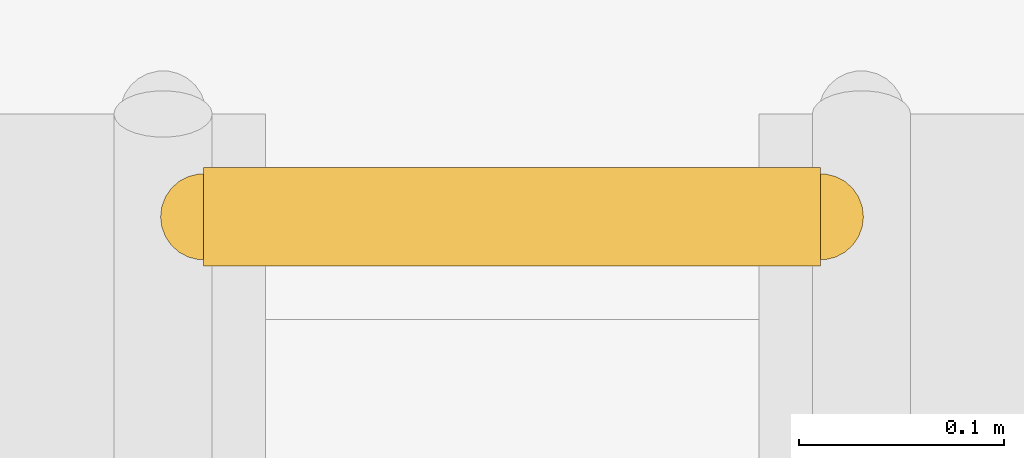
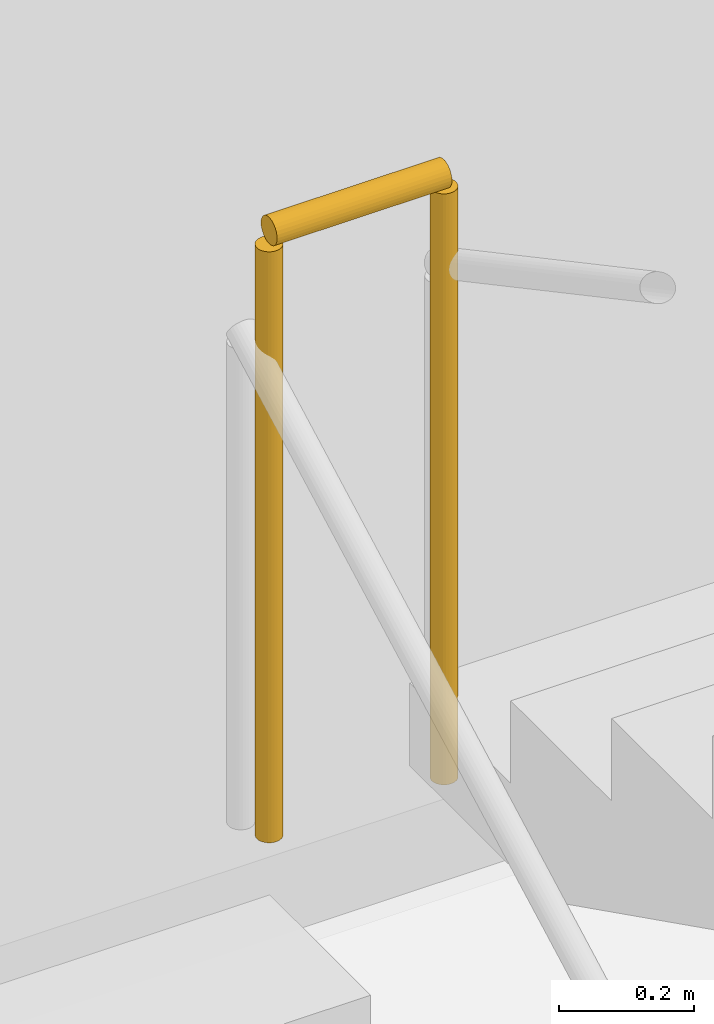
# One storey, part 48 of 51: 1 railing.
"""IFC4 building model written with IfcOpenShell, lengths in metres."""

import ifcopenshell
import ifcopenshell.guid

model = None  # the IFC model being written
_history = None  # IfcOwnerHistory: only IFC2X3 demands one
_inside = {}  # id of a spatial element -> (the spatial element, [elements in it])
_under = {}  # id of a project, library or spatial element -> (it, [spatial elements below it])
_declared = {}  # id of a project -> (the project, [libraries it declares])
_typed = {}  # id of a type object -> (the type object, [elements of that type])
_made_of = {}  # id of a material, layer set ... -> (it, [elements and type objects made of it])


def new_model(schema):
    """Start an empty IFC model of exactly this schema.

    Asked for "IFC4X3", IfcOpenShell would pick the latest addendum, in which some entities
    have other attributes; the version numbers below select the first issue.
    IFC2X3 requires an IfcOwnerHistory on every rooted entity: one is made here for all.
    """
    global model, _history
    if schema == "IFC4X3":
        model = ifcopenshell.file(schema_version=(4, 3, 0, 0))
    else:
        model = ifcopenshell.file(schema=schema)
    _inside.clear()
    _under.clear()
    _declared.clear()
    _typed.clear()
    _made_of.clear()
    _history = None
    if model.schema == "IFC2X3":
        org = make("IfcOrganization", Name="unknown")
        user = make(
            "IfcPersonAndOrganization",
            ThePerson=make("IfcPerson", FamilyName="unknown"),
            TheOrganization=org,
        )
        app = make(
            "IfcApplication",
            ApplicationDeveloper=org,
            Version="unknown",
            ApplicationFullName="unknown",
            ApplicationIdentifier="unknown",
        )
        _history = make(
            "IfcOwnerHistory",
            OwningUser=user,
            OwningApplication=app,
            ChangeAction="ADDED",
            CreationDate=0,
        )
    return model


def make(cls, **values):
    """One entity of the class cls with the attributes given. An attribute that is None is left unset."""
    return model.create_entity(
        cls, **{name: value for name, value in values.items() if value is not None}
    )


def rooted(cls, **values):
    """An entity with a GlobalId (a new one), such as an element, a storey or a relation."""
    return make(cls, GlobalId=ifcopenshell.guid.new(), OwnerHistory=_history, **values)


def si_unit(unit_type, name, prefix=None):
    """IfcSIUnit, for example si_unit("LENGTHUNIT", "METRE", prefix="MILLI")."""
    return make("IfcSIUnit", UnitType=unit_type, Prefix=prefix, Name=name)


def assignment(units):
    """IfcUnitAssignment: the units of a project."""
    return None if units is None else make("IfcUnitAssignment", Units=units)


def point(xyz):
    """IfcCartesianPoint."""
    return None if xyz is None else make("IfcCartesianPoint", Coordinates=xyz)


def direction(xyz):
    """IfcDirection."""
    return None if xyz is None else make("IfcDirection", DirectionRatios=xyz)


def frame(location, z_axis=None, x_axis=None):
    """IfcAxis2Placement3D, a coordinate frame: its origin and axes. An axis left out is left unset."""
    return make(
        "IfcAxis2Placement3D",
        Location=point(location),
        Axis=direction(z_axis),
        RefDirection=direction(x_axis),
    )


def frame_2d(location, x_axis=None):
    """IfcAxis2Placement2D, a coordinate frame in the plane: its origin and x axis."""
    return make(
        "IfcAxis2Placement2D", Location=point(location), RefDirection=direction(x_axis)
    )


def origin():
    """The frame at (0, 0, 0) with its axes left unset."""
    return frame((0.0, 0.0, 0.0))


def origin_2d():
    """The frame at (0, 0) in the plane with its x axis left unset."""
    return frame_2d((0.0, 0.0))


def place(relative_to, where):
    """IfcLocalPlacement: puts the frame where relative to a parent placement (None: the world)."""
    return make(
        "IfcLocalPlacement", PlacementRelTo=relative_to, RelativePlacement=where
    )


def context(
    kind, dimensions, precision=None, world=None, true_north=None, identifier=None
):
    """IfcGeometricRepresentationContext, for example the 3D "Model" context."""
    return make(
        "IfcGeometricRepresentationContext",
        ContextIdentifier=identifier,
        ContextType=kind,
        CoordinateSpaceDimension=dimensions,
        Precision=precision,
        WorldCoordinateSystem=world,
        TrueNorth=true_north,
    )


def subcontext(parent, identifier, kind, view, scale=None):
    """IfcGeometricRepresentationSubContext, for example "Body" below "Model"."""
    return make(
        "IfcGeometricRepresentationSubContext",
        ContextIdentifier=identifier,
        ContextType=kind,
        ParentContext=parent,
        TargetScale=scale,
        TargetView=view,
    )


def project(units=None, contexts=None):
    """IfcProject with its units and contexts."""
    return rooted(
        "IfcProject",
        Name="project",
        RepresentationContexts=contexts,
        UnitsInContext=assignment(units),
    )


def spatial(cls, under=None, at=None, **own):
    """A site, building, storey or space (cls), placed at a placement, below another one or the project."""
    s = rooted(cls, ObjectPlacement=at, **own)
    if under is not None:
        _under.setdefault(under.id(), (under, []))[1].append(s)
    return s


def profile(cls, at=None, kind="AREA", **sizes):
    """A parametric profile (cls). Its sizes go by their IFC names, for example OverallWidth=200.0."""
    return make(cls, ProfileType=kind, Position=at, **sizes)


def circle(**sizes):
    """IfcCircleProfileDef."""
    return profile("IfcCircleProfileDef", **sizes)


def extrude(swept, where, along, depth):
    """IfcExtrudedAreaSolid: the profile swept, set in the frame where, extruded along a direction by depth."""
    return make(
        "IfcExtrudedAreaSolid",
        SweptArea=swept,
        Position=where,
        ExtrudedDirection=direction(along),
        Depth=depth,
    )


def shape(context_of_items, identifier, shape_type, items):
    """IfcShapeRepresentation: the items that make up one representation, for example the "Body"."""
    return make(
        "IfcShapeRepresentation",
        ContextOfItems=context_of_items,
        RepresentationIdentifier=identifier,
        RepresentationType=shape_type,
        Items=items,
    )


def material(Name=None, Category=None):
    """IfcMaterial."""
    return make("IfcMaterial", Name=Name, Category=Category)


def made_of(thing, what):
    """Note that an element or type object is made of a material, layer set ...; save() writes the relation."""
    if what is not None:
        _made_of.setdefault(what.id(), (what, []))[1].append(thing)
    return thing


def type_object(cls, material=None, **own):
    """A type object (cls), such as IfcWallType, which elements share."""
    return made_of(rooted(cls, **own), material)


def element(
    cls,
    number,
    at=None,
    inside=None,
    cuts=None,
    type_object=None,
    material=None,
    context=None,
    identifier="Body",
    shape_type=None,
    held_by="IfcProductDefinitionShape",
    body=None,
    shapes=None,
    **own,
):
    """One element of the class cls, such as IfcWall. Its Tag is "e" and its number.

    at: its placement. inside: the storey or other place that contains it. cuts: it is an
    opening in that element (IfcRelVoidsElement). A single representation is given by context,
    identifier, shape_type and body (its items); several are given by shapes. held_by: the class
    of the entity that holds the representations. save() writes the other relations.
    """
    e = rooted(cls, Tag="e%d" % number, ObjectPlacement=at, **own)
    if body is not None:
        shapes = [shape(context, identifier, shape_type, body)]
    if shapes is not None:
        e.Representation = make(held_by, Representations=shapes)
    if inside is not None:
        _inside.setdefault(inside.id(), (inside, []))[1].append(e)
    if cuts is not None:
        rooted(
            "IfcRelVoidsElement", RelatingBuildingElement=cuts, RelatedOpeningElement=e
        )
    if type_object is not None:
        _typed.setdefault(type_object.id(), (type_object, []))[1].append(e)
    return made_of(e, material)


def aggregate(whole, parts):
    """IfcRelAggregates: a whole, such as a stair, and the parts it consists of."""
    return rooted("IfcRelAggregates", RelatingObject=whole, RelatedObjects=parts)


def save(model, path):
    """Write the relations noted so far, then the file.

    IfcRelAggregates (storeys below a building ...), IfcRelContainedInSpatialStructure (elements
    in a storey), IfcRelDefinesByType, IfcRelAssociatesMaterial and IfcRelDeclares: one each for
    every whole, place, type object, material and project.
    """
    for whole, parts in _under.values():
        aggregate(whole, parts)
    for where, things in _inside.values():
        rooted(
            "IfcRelContainedInSpatialStructure",
            RelatedElements=things,
            RelatingStructure=where,
        )
    for kind, things in _typed.values():
        rooted("IfcRelDefinesByType", RelatedObjects=things, RelatingType=kind)
    for what, things in _made_of.values():
        rooted("IfcRelAssociatesMaterial", RelatedObjects=things, RelatingMaterial=what)
    for by, libraries in _declared.values():
        rooted("IfcRelDeclares", RelatingContext=by, RelatedDefinitions=libraries)
    model.write(path)


model = new_model("IFC4")

# Units and contexts
model_context = context("Model", 3, precision=1e-05, world=origin(), true_north=direction((0.0, 1.0)))
body_context = subcontext(model_context, "Body", "Model", "MODEL_VIEW")
ifc_project = project(units=[si_unit("LENGTHUNIT", "METRE"), si_unit("AREAUNIT", "SQUARE_METRE"), si_unit("VOLUMEUNIT", "CUBIC_METRE"), si_unit("PLANEANGLEUNIT", "RADIAN"), si_unit("MASSUNIT", "GRAM", prefix="KILO")], contexts=[model_context])

# Site, building, storey
site_placement = place(None, origin())
site = spatial("IfcSite", under=ifc_project, at=site_placement, CompositionType="ELEMENT")
building_placement = place(site_placement, origin())
building = spatial("IfcBuilding", under=site, at=building_placement, Name="Qalvenar Corner Mobility Hub", CompositionType="ELEMENT")
storey_placement = place(building_placement, frame((0.0, 0.0, -4.5)))
storey = spatial("IfcBuildingStorey", under=building, at=storey_placement, Name="B1", CompositionType="ELEMENT", Elevation=-4.5)

# Railing
ifc_material = material(Name="Art Nouveau Bronze-Finished Steel Balustrade", Category="steel")
railing_type = type_object("IfcRailingType", Name="RL-GUARD-110", PredefinedType="GUARDRAIL", material=ifc_material)
railing_placement = place(storey_placement, frame((61.139892578125, 89.699951171875, 2.25)))
element("IfcRailing", 1, at=railing_placement, inside=storey, type_object=railing_type, Name="Stair Half-Landing Well Guard ST3-B1", PredefinedType="GUARDRAIL", context=body_context, shape_type="SweptSolid", body=[
    extrude(circle(Radius=0.02392578125, at=origin_2d()), frame((0.0, 0.0, 1.09619140625), z_axis=(1.0, 0.0, 0.0), x_axis=(0.0, 1.0, 0.0)), (0.0, 0.0, 1.0), 0.300048828125),
    extrude(circle(Radius=0.02099609375, at=origin_2d()), origin(), (0.0, 0.0, 1.0), 1.072021484375),
    extrude(circle(Radius=0.02099609375, at=origin_2d()), frame((0.300048828125, 0.0, 0.0)), (0.0, 0.0, 1.0), 1.072021484375),
])

save(model, "model.ifc")
